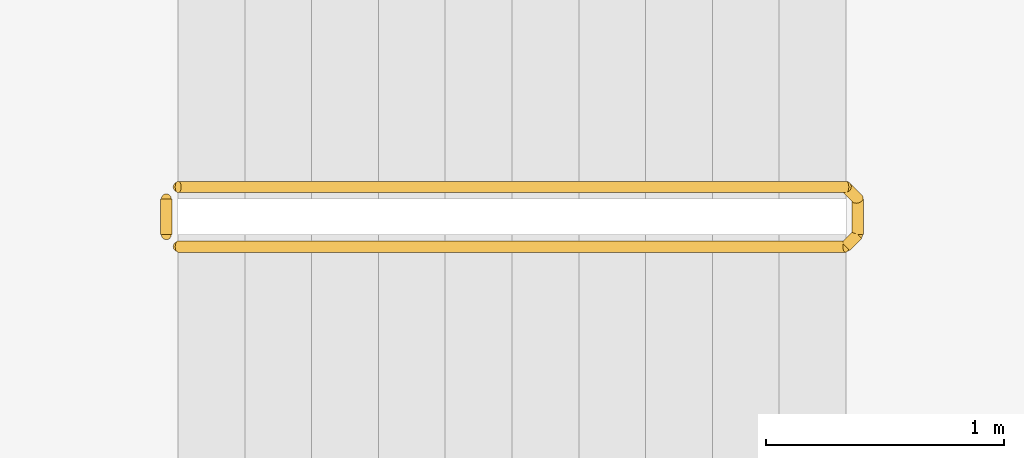
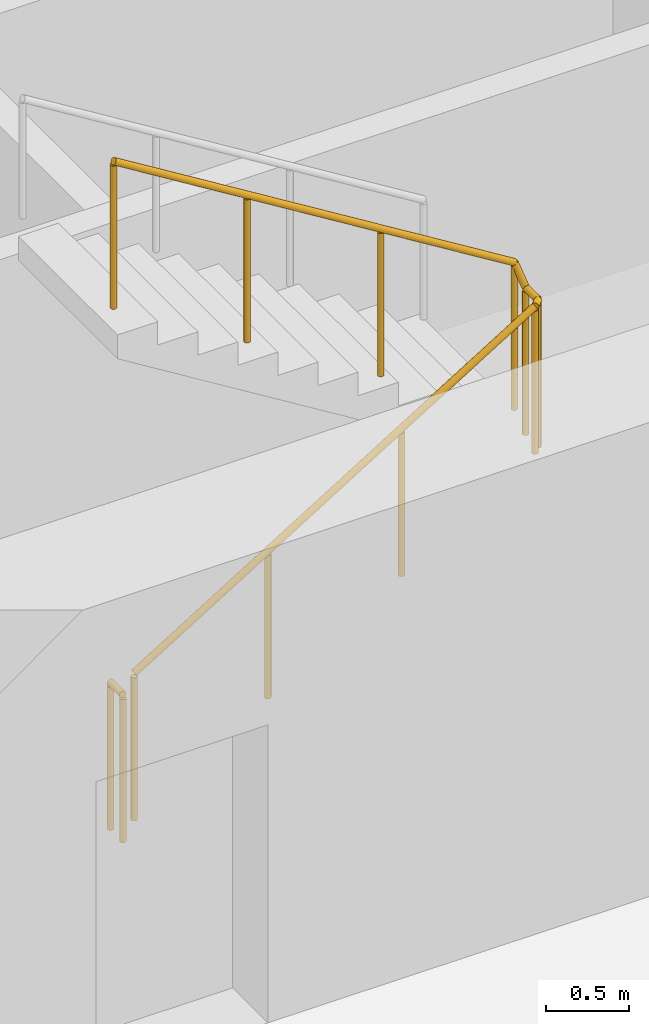
# One storey, part 10 of 14: 2 railings.
"""IFC4 building model written with IfcOpenShell, lengths in metres."""

from ifc_helpers import new_model, si_unit, direction, frame, origin, origin_2d, place, context, subcontext, project, spatial, circle, extrude, material, type_object, element, save


model = new_model("IFC4")

# Units and contexts
model_context = context("Model", 3, precision=1e-05, world=origin(), true_north=direction((0.0, 1.0)))
body_context = subcontext(model_context, "Body", "Model", "MODEL_VIEW")
ifc_project = project(units=[si_unit("LENGTHUNIT", "METRE"), si_unit("AREAUNIT", "SQUARE_METRE"), si_unit("VOLUMEUNIT", "CUBIC_METRE"), si_unit("PLANEANGLEUNIT", "RADIAN"), si_unit("MASSUNIT", "GRAM", prefix="KILO")], contexts=[model_context])

# Site, building, storey
site_placement = place(None, origin())
site = spatial("IfcSite", under=ifc_project, at=site_placement, CompositionType="ELEMENT")
building_placement = place(site_placement, origin())
building = spatial("IfcBuilding", under=site, at=building_placement, Name="Orbiselva Terraces", CompositionType="ELEMENT")
storey_placement = place(building_placement, frame((0.0, 0.0, 49.2)))
storey = spatial("IfcBuildingStorey", under=building, at=storey_placement, Name="L12", CompositionType="ELEMENT", Elevation=49.2)

# Railings
ifc_material = material(Name="Stainless steel", Category="steel")
railing_type = type_object("IfcRailingType", Name="CORE-GUARD-1100", PredefinedType="GUARDRAIL", material=ifc_material)
railing_1_placement = place(storey_placement, frame((-7.15, 6.55, 0.172727)))
element("IfcRailing", 1, at=railing_1_placement, inside=storey, type_object=railing_type, Name="L12 S3 stair guard 1", PredefinedType="GUARDRAIL", context=body_context, shape_type="SweptSolid", body=[
    extrude(circle(Radius=0.024, at=origin_2d()), frame((0.0, 0.0, 1.081), z_axis=(0.851088519012, 0.0, 0.52502222125), x_axis=(0.0, 1.0, 0.0)), (0.0, 0.0, 1.0), 3.289905),
    extrude(circle(Radius=0.024, at=origin_2d()), frame((2.8, 0.0, 2.808273), z_axis=(0.707106781187, 0.707106781187, 0.0), x_axis=(-0.707106781187, 0.707106781187, 0.0)), (0.0, 0.0, 1.0), 0.070711),
    extrude(circle(Radius=0.024, at=origin_2d()), frame((2.85, 0.05, 2.808273), z_axis=(0.0, 1.0, 0.0), x_axis=(-1.0, 0.0, 0.0)), (0.0, 0.0, 1.0), 0.15),
    extrude(circle(Radius=0.024, at=origin_2d()), frame((2.85, 0.2, 2.808273), z_axis=(-0.267894925557, 0.267894925557, 0.925453736133), x_axis=(-0.707106781187, -0.707106781187, 0.0)), (0.0, 0.0, 1.0), 0.18664),
    extrude(circle(Radius=0.024, at=origin_2d()), frame((2.8, 0.25, 2.981), z_axis=(-0.851088519012, 0.0, 0.52502222125), x_axis=(0.0, -1.0, 0.0)), (0.0, 0.0, 1.0), 3.289905),
    extrude(circle(Radius=0.021, at=origin_2d()), origin(), (0.0, 0.0, 1.0), 1.057),
    extrude(circle(Radius=0.021, at=origin_2d()), frame((0.933333, 0.0, 0.575758)), (0.0, 0.0, 1.0), 1.057),
    extrude(circle(Radius=0.021, at=origin_2d()), frame((1.866667, 0.0, 1.151515)), (0.0, 0.0, 1.0), 1.057),
    extrude(circle(Radius=0.021, at=origin_2d()), frame((2.8, 0.0, 1.727273)), (0.0, 0.0, 1.0), 1.057),
    extrude(circle(Radius=0.021, at=origin_2d()), frame((2.85, 0.05, 1.727273)), (0.0, 0.0, 1.0), 1.057),
    extrude(circle(Radius=0.021, at=origin_2d()), frame((2.85, 0.2, 1.727273)), (0.0, 0.0, 1.0), 1.057),
    extrude(circle(Radius=0.021, at=origin_2d()), frame((2.8, 0.25, 1.9)), (0.0, 0.0, 1.0), 1.057),
    extrude(circle(Radius=0.021, at=origin_2d()), frame((1.866667, 0.25, 2.475758)), (0.0, 0.0, 1.0), 1.057),
    extrude(circle(Radius=0.021, at=origin_2d()), frame((0.933333, 0.25, 3.051515)), (0.0, 0.0, 1.0), 1.057),
    extrude(circle(Radius=0.021, at=origin_2d()), frame((0.0, 0.25, 3.627273)), (0.0, 0.0, 1.0), 1.057),
])
railing_2_placement = place(storey_placement, frame((-7.2, 6.6, 0.0)))
element("IfcRailing", 2, at=railing_2_placement, inside=storey, type_object=railing_type, Name="L12 S3 stair guard 2", PredefinedType="GUARDRAIL", context=body_context, shape_type="SweptSolid", body=[
    extrude(circle(Radius=0.024, at=origin_2d()), frame((0.0, 0.0, 1.081), z_axis=(0.0, 1.0, 0.0), x_axis=(-1.0, 0.0, 0.0)), (0.0, 0.0, 1.0), 0.15),
    extrude(circle(Radius=0.021, at=origin_2d()), origin(), (0.0, 0.0, 1.0), 1.057),
    extrude(circle(Radius=0.021, at=origin_2d()), frame((0.0, 0.15, 0.0)), (0.0, 0.0, 1.0), 1.057),
])

save(model, "model.ifc")
